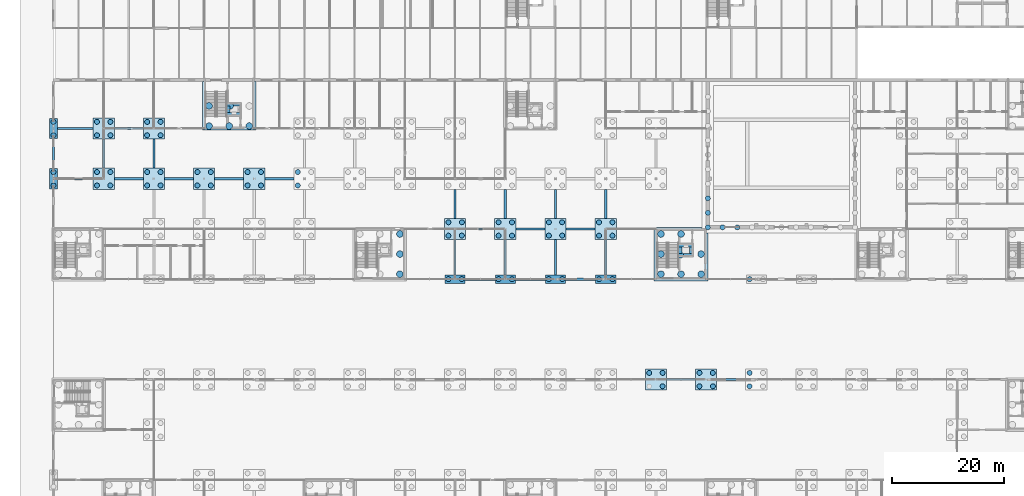
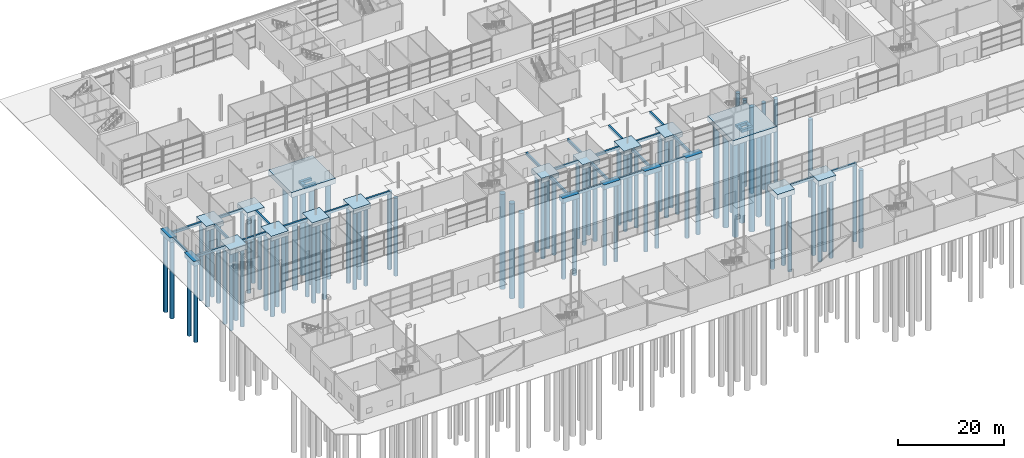
# One storey, part 3 of 97: 85 piles, 53 footings.
"""IFC4 building model written with IfcOpenShell, lengths in metres."""

from ifc_helpers import new_model, si_unit, direction, frame, origin, origin_2d, place, context, subcontext, project, spatial, polyline, rectangle, circle, outline, extrude, material, material_profile, profile_set, type_object, element, save


model = new_model("IFC4")

# Units and contexts
model_context = context("Model", 3, precision=1e-05, world=origin(), true_north=direction((0.0, 1.0)))
body_context = subcontext(model_context, "Body", "Model", "MODEL_VIEW")
ifc_project = project(units=[si_unit("LENGTHUNIT", "METRE"), si_unit("AREAUNIT", "SQUARE_METRE"), si_unit("VOLUMEUNIT", "CUBIC_METRE"), si_unit("PLANEANGLEUNIT", "RADIAN"), si_unit("MASSUNIT", "GRAM", prefix="KILO")], contexts=[model_context])

# Site, building, storey
site_placement = place(None, origin())
site = spatial("IfcSite", under=ifc_project, at=site_placement, CompositionType="ELEMENT")
building_placement = place(site_placement, origin())
building = spatial("IfcBuilding", under=site, at=building_placement, Name="Corbel Yard City Hall", CompositionType="ELEMENT")
storey_placement = place(building_placement, origin())
storey = spatial("IfcBuildingStorey", under=building, at=storey_placement, Name="L00", CompositionType="ELEMENT", Elevation=0.0)

# Piles
ifc_material = material(Name="Concrete N40 (40 MPa)", Category="concrete")
ifc_material_profile_1 = material_profile(ifc_material, circle(Radius=0.60009765625, at=origin_2d()), Name="D1200")
ifc_profile_set_1 = profile_set([ifc_material_profile_1], Name="Concrete N40 (40 MPa)")
pile_type_1 = type_object("IfcPileType", Name="Bored pile D1200", PredefinedType="BORED", material=ifc_profile_set_1)
for number, where, z_axis, x_axis, name in (
    (1, (62.10009765625, 45.89990234375, -1.10009765625), (0.0, 0.0, -1.0), (1.0, 0.0, 0.0), "Bored pile D1200 under core raft PC13"),
    (2, (62.10009765625, 49.5, -1.10009765625), (0.0, 0.0, -1.0), (1.0, 0.0, 0.0), "Bored pile D1200 under core raft PC13"),
    (3, (62.10009765625, 53.10009765625, -1.10009765625), (0.0, 0.0, -1.0), (1.0, 0.0, 0.0), "Bored pile D1200 under core raft PC13"),
    (4, (108.89990234375, 45.89990234375, -1.10009765625), (0.0, 0.0, -1.0), (1.0, 0.0, 0.0), "Bored pile D1200 under core raft PC13"),
    (5, (108.89990234375, 49.5, -1.10009765625), (0.0, 0.0, -1.0), (1.0, 0.0, 0.0), "Bored pile D1200 under core raft PC13"),
    (6, (108.89990234375, 53.10009765625, -1.10009765625), (0.0, 0.0, -1.0), (1.0, 0.0, 0.0), "Bored pile D1200 under core raft PC13"),
    (7, (112.5, 45.89990234375, -1.10009765625), (0.0, 0.0, -1.0), (1.0, 0.0, 0.0), "Bored pile D1200 under core raft PC13"),
    (8, (112.35009765625, 49.35009765625, -1.10009765625), (0.0, 0.0, -1.0), (1.0, 0.0, 0.0), "Bored pile D1200 under core raft PC13"),
    (9, (112.5, 53.10009765625, -1.10009765625), (0.0, 0.0, -1.0), (1.0, 0.0, 0.0), "Bored pile D1200 under core raft PC13"),
    (10, (116.10009765625, 45.89990234375, -1.10009765625), (0.0, 0.0, -1.0), (1.0, 0.0, 0.0), "Bored pile D1200 under core raft PC13"),
    (11, (116.10009765625, 49.5, -1.10009765625), (0.0, 0.0, -1.0), (1.0, 0.0, 0.0), "Bored pile D1200 under core raft PC13"),
    (12, (27.89990234375, 72.449951171875, -1.10009765625), (0.0, 0.0, -1.0), (1.0, 0.0, 0.0), "Bored pile D1200 under core raft PC13"),
    (13, (27.89990234375, 76.050048828125, -1.10009765625), (0.0, 0.0, -1.0), (1.0, 0.0, 0.0), "Bored pile D1200 under core raft PC13"),
    (14, (31.5, 72.449951171875, -1.10009765625), (0.0, 0.0, -1.0), (1.0, 0.0, 0.0), "Bored pile D1200 under core raft PC13"),
    (15, (31.64990234375, 76.050048828125, -1.10009765625), (0.0, 0.0, -1.0), (1.0, 0.0, 0.0), "Bored pile D1200 under core raft PC13"),
    (16, (35.10009765625, 72.449951171875, -1.10009765625), (0.0, 0.0, -1.0), (1.0, 0.0, 0.0), "Bored pile D1200 under core raft PC13"),
):
    element("IfcPile", number, at=place(storey_placement, frame(where, z_axis=z_axis, x_axis=x_axis)), inside=storey, type_object=pile_type_1, Name=name, PredefinedType="BORED", context=body_context, shape_type="SweptSolid", body=[
        extrude(circle(Radius=0.60009765625, at=origin_2d()), origin(), (0.0, 0.0, 1.0), 22.0),
    ])
ifc_material_profile_2 = material_profile(ifc_material, circle(Radius=0.449951171875, at=origin_2d()), Name="D900")
ifc_profile_set_2 = profile_set([ifc_material_profile_2], Name="Concrete N40 (40 MPa)")
pile_type_2 = type_object("IfcPileType", Name="Bored pile D900", PredefinedType="BORED", material=ifc_profile_set_2)
for number, where, z_axis, x_axis, name in (
    (17, (0.0, 61.800048828125, -1.0), (0.0, 0.0, -1.0), (1.0, 0.0, 0.0), "Bored pile D900 under cap PC2 H/1"),
    (18, (0.0, 64.199951171875, -1.0), (0.0, 0.0, -1.0), (1.0, 0.0, 0.0), "Bored pile D900 under cap PC2 H/1"),
    (19, (0.0, 70.800048828125, -1.0), (0.0, 0.0, -1.0), (1.0, 0.0, 0.0), "Bored pile D900 under cap PC2 I/1"),
    (20, (0.0, 73.199951171875, -1.0), (0.0, 0.0, -1.0), (1.0, 0.0, 0.0), "Bored pile D900 under cap PC2 I/1"),
    (21, (7.800048828125, 61.800048828125, -1.0), (0.0, 0.0, -1.0), (1.0, 0.0, 0.0), "Bored pile D900 under cap PC3 H/2"),
    (22, (7.800048828125, 64.199951171875, -1.0), (0.0, 0.0, -1.0), (1.0, 0.0, 0.0), "Bored pile D900 under cap PC3 H/2"),
    (23, (10.199951171875, 61.800048828125, -1.0), (0.0, 0.0, -1.0), (1.0, 0.0, 0.0), "Bored pile D900 under cap PC3 H/2"),
    (24, (10.199951171875, 64.199951171875, -1.0), (0.0, 0.0, -1.0), (1.0, 0.0, 0.0), "Bored pile D900 under cap PC3 H/2"),
    (25, (7.800048828125, 70.800048828125, -1.0), (0.0, 0.0, -1.0), (1.0, 0.0, 0.0), "Bored pile D900 under cap PC3 I/2"),
    (26, (7.800048828125, 73.199951171875, -1.0), (0.0, 0.0, -1.0), (1.0, 0.0, 0.0), "Bored pile D900 under cap PC3 I/2"),
    (27, (10.199951171875, 70.800048828125, -1.0), (0.0, 0.0, -1.0), (1.0, 0.0, 0.0), "Bored pile D900 under cap PC3 I/2"),
    (28, (10.199951171875, 73.199951171875, -1.0), (0.0, 0.0, -1.0), (1.0, 0.0, 0.0), "Bored pile D900 under cap PC3 I/2"),
    (29, (16.800048828125, 61.800048828125, -1.0), (0.0, 0.0, -1.0), (1.0, 0.0, 0.0), "Bored pile D900 under cap PC3 H/3"),
    (30, (16.800048828125, 64.199951171875, -1.0), (0.0, 0.0, -1.0), (1.0, 0.0, 0.0), "Bored pile D900 under cap PC3 H/3"),
    (31, (19.199951171875, 61.800048828125, -1.0), (0.0, 0.0, -1.0), (1.0, 0.0, 0.0), "Bored pile D900 under cap PC3 H/3"),
    (32, (19.199951171875, 64.199951171875, -1.0), (0.0, 0.0, -1.0), (1.0, 0.0, 0.0), "Bored pile D900 under cap PC3 H/3"),
    (33, (16.800048828125, 70.800048828125, -1.0), (0.0, 0.0, -1.0), (1.0, 0.0, 0.0), "Bored pile D900 under cap PC3 I/3"),
    (34, (16.800048828125, 73.199951171875, -1.0), (0.0, 0.0, -1.0), (1.0, 0.0, 0.0), "Bored pile D900 under cap PC3 I/3"),
    (35, (19.199951171875, 70.800048828125, -1.0), (0.0, 0.0, -1.0), (1.0, 0.0, 0.0), "Bored pile D900 under cap PC3 I/3"),
    (36, (19.199951171875, 73.199951171875, -1.0), (0.0, 0.0, -1.0), (1.0, 0.0, 0.0), "Bored pile D900 under cap PC3 I/3"),
    (37, (25.800048828125, 61.800048828125, -1.0), (0.0, 0.0, -1.0), (1.0, 0.0, 0.0), "Bored pile D900 under cap PC3 H/4"),
    (38, (25.800048828125, 64.199951171875, -1.0), (0.0, 0.0, -1.0), (1.0, 0.0, 0.0), "Bored pile D900 under cap PC3 H/4"),
    (39, (28.199951171875, 61.800048828125, -1.0), (0.0, 0.0, -1.0), (1.0, 0.0, 0.0), "Bored pile D900 under cap PC3 H/4"),
    (40, (28.199951171875, 64.199951171875, -1.0), (0.0, 0.0, -1.0), (1.0, 0.0, 0.0), "Bored pile D900 under cap PC3 H/4"),
    (41, (34.800048828125, 61.800048828125, -1.0), (0.0, 0.0, -1.0), (1.0, 0.0, 0.0), "Bored pile D900 under cap PC3 H/5"),
    (42, (34.800048828125, 64.199951171875, -1.0), (0.0, 0.0, -1.0), (1.0, 0.0, 0.0), "Bored pile D900 under cap PC3 H/5"),
    (43, (37.199951171875, 61.800048828125, -1.0), (0.0, 0.0, -1.0), (1.0, 0.0, 0.0), "Bored pile D900 under cap PC3 H/5"),
    (44, (37.199951171875, 64.199951171875, -1.0), (0.0, 0.0, -1.0), (1.0, 0.0, 0.0), "Bored pile D900 under cap PC3 H/5"),
    (45, (43.800048828125, 61.800048828125, -1.0), (0.0, 0.0, -1.0), (1.0, 0.0, 0.0), "Bored pile D900 under cap PC3 H/6"),
    (46, (43.800048828125, 64.199951171875, -1.0), (0.0, 0.0, -1.0), (1.0, 0.0, 0.0), "Bored pile D900 under cap PC3 H/6"),
    (47, (70.800048828125, 45.0, -1.0), (0.0, 0.0, -1.0), (1.0, 0.0, 0.0), "Bored pile D900 under cap PC6 F/9"),
    (48, (73.199951171875, 45.0, -1.0), (0.0, 0.0, -1.0), (1.0, 0.0, 0.0), "Bored pile D900 under cap PC6 F/9"),
    (49, (70.800048828125, 52.800048828125, -1.0), (0.0, 0.0, -1.0), (1.0, 0.0, 0.0), "Bored pile D900 under cap PC3 G/9"),
    (50, (70.800048828125, 55.199951171875, -1.0), (0.0, 0.0, -1.0), (1.0, 0.0, 0.0), "Bored pile D900 under cap PC3 G/9"),
    (51, (73.199951171875, 52.800048828125, -1.0), (0.0, 0.0, -1.0), (1.0, 0.0, 0.0), "Bored pile D900 under cap PC3 G/9"),
    (52, (73.199951171875, 55.199951171875, -1.0), (0.0, 0.0, -1.0), (1.0, 0.0, 0.0), "Bored pile D900 under cap PC3 G/9"),
    (53, (79.800048828125, 45.0, -1.0), (0.0, 0.0, -1.0), (1.0, 0.0, 0.0), "Bored pile D900 under cap PC6 F/10"),
    (54, (82.199951171875, 45.0, -1.0), (0.0, 0.0, -1.0), (1.0, 0.0, 0.0), "Bored pile D900 under cap PC6 F/10"),
    (55, (79.800048828125, 52.800048828125, -1.0), (0.0, 0.0, -1.0), (1.0, 0.0, 0.0), "Bored pile D900 under cap PC3 G/10"),
    (56, (79.800048828125, 55.199951171875, -1.0), (0.0, 0.0, -1.0), (1.0, 0.0, 0.0), "Bored pile D900 under cap PC3 G/10"),
    (57, (82.199951171875, 52.800048828125, -1.0), (0.0, 0.0, -1.0), (1.0, 0.0, 0.0), "Bored pile D900 under cap PC3 G/10"),
    (58, (82.199951171875, 55.199951171875, -1.0), (0.0, 0.0, -1.0), (1.0, 0.0, 0.0), "Bored pile D900 under cap PC3 G/10"),
    (59, (88.800048828125, 45.0, -1.0), (0.0, 0.0, -1.0), (1.0, 0.0, 0.0), "Bored pile D900 under cap PC6 F/11"),
    (60, (91.199951171875, 45.0, -1.0), (0.0, 0.0, -1.0), (1.0, 0.0, 0.0), "Bored pile D900 under cap PC6 F/11"),
    (61, (88.800048828125, 52.800048828125, -1.0), (0.0, 0.0, -1.0), (1.0, 0.0, 0.0), "Bored pile D900 under cap PC3 G/11"),
    (62, (88.800048828125, 55.199951171875, -1.0), (0.0, 0.0, -1.0), (1.0, 0.0, 0.0), "Bored pile D900 under cap PC3 G/11"),
    (63, (91.199951171875, 52.800048828125, -1.0), (0.0, 0.0, -1.0), (1.0, 0.0, 0.0), "Bored pile D900 under cap PC3 G/11"),
    (64, (91.199951171875, 55.199951171875, -1.0), (0.0, 0.0, -1.0), (1.0, 0.0, 0.0), "Bored pile D900 under cap PC3 G/11"),
    (65, (97.800048828125, 45.0, -1.0), (0.0, 0.0, -1.0), (1.0, 0.0, 0.0), "Bored pile D900 under cap PC6 F/12"),
    (66, (100.199951171875, 45.0, -1.0), (0.0, 0.0, -1.0), (1.0, 0.0, 0.0), "Bored pile D900 under cap PC6 F/12"),
    (67, (97.800048828125, 52.800048828125, -1.0), (0.0, 0.0, -1.0), (1.0, 0.0, 0.0), "Bored pile D900 under cap PC3 G/12"),
    (68, (97.800048828125, 55.199951171875, -1.0), (0.0, 0.0, -1.0), (1.0, 0.0, 0.0), "Bored pile D900 under cap PC3 G/12"),
    (69, (100.199951171875, 52.800048828125, -1.0), (0.0, 0.0, -1.0), (1.0, 0.0, 0.0), "Bored pile D900 under cap PC3 G/12"),
    (70, (100.199951171875, 55.199951171875, -1.0), (0.0, 0.0, -1.0), (1.0, 0.0, 0.0), "Bored pile D900 under cap PC3 G/12"),
    (71, (106.800048828125, 28.199951171875, -1.10009765625), (0.0, 0.0, -1.0), (1.0, 0.0, 0.0), "Bored pile D900 under cap PC5 D/13"),
    (72, (109.199951171875, 25.800048828125, -1.10009765625), (0.0, 0.0, -1.0), (1.0, 0.0, 0.0), "Bored pile D900 under cap PC5 D/13"),
    (73, (109.199951171875, 28.199951171875, -1.10009765625), (0.0, 0.0, -1.0), (1.0, 0.0, 0.0), "Bored pile D900 under cap PC5 D/13"),
    (74, (115.800048828125, 25.800048828125, -1.10009765625), (0.0, 0.0, -1.0), (1.0, 0.0, 0.0), "Bored pile D900 under cap PC5 D/14"),
    (75, (115.800048828125, 28.199951171875, -1.10009765625), (0.0, 0.0, -1.0), (1.0, 0.0, 0.0), "Bored pile D900 under cap PC5 D/14"),
    (76, (118.199951171875, 25.800048828125, -1.10009765625), (0.0, 0.0, -1.0), (1.0, 0.0, 0.0), "Bored pile D900 under cap PC5 D/14"),
    (77, (118.199951171875, 28.199951171875, -1.10009765625), (0.0, 0.0, -1.0), (1.0, 0.0, 0.0), "Bored pile D900 under cap PC5 D/14"),
    (78, (124.800048828125, 25.800048828125, -1.10009765625), (0.0, 0.0, -1.0), (1.0, 0.0, 0.0), "Bored pile D900 under cap PC5 D/15"),
    (79, (124.800048828125, 28.199951171875, -1.10009765625), (0.0, 0.0, -1.0), (1.0, 0.0, 0.0), "Bored pile D900 under cap PC5 D/15"),
    (80, (124.800048828125, 45.0, -1.0), (0.0, 0.0, -1.0), (1.0, 0.0, 0.0), "Bored pile D900 under cap PC6 F/15"),
):
    element("IfcPile", number, at=place(storey_placement, frame(where, z_axis=z_axis, x_axis=x_axis)), inside=storey, type_object=pile_type_2, Name=name, PredefinedType="BORED", context=body_context, shape_type="SweptSolid", body=[
        extrude(circle(Radius=0.449951171875, at=origin_2d()), origin(), (0.0, 0.0, 1.0), 18.0),
    ])
for number, where, z_axis, x_axis, name in (
    (81, (117.300048828125, 54.300048828125, -1.10009765625), (0.0, 0.0, -1.0), (1.0, 0.0, 0.0), "Bored pile D900 under chamber ring cap PC12"),
    (82, (119.93994140625, 54.300048828125, -1.10009765625), (0.0, 0.0, -1.0), (1.0, 0.0, 0.0), "Bored pile D900 under chamber ring cap PC12"),
    (83, (122.580078125, 54.300048828125, -1.10009765625), (0.0, 0.0, -1.0), (1.0, 0.0, 0.0), "Bored pile D900 under chamber ring cap PC12"),
    (84, (117.300048828125, 56.89990234375, -1.10009765625), (0.0, 0.0, -1.0), (1.0, 0.0, 0.0), "Bored pile D900 under chamber ring cap PC12"),
    (85, (117.300048828125, 59.5, -1.10009765625), (0.0, 0.0, -1.0), (1.0, 0.0, 0.0), "Bored pile D900 under chamber ring cap PC12"),
):
    element("IfcPile", number, at=place(storey_placement, frame(where, z_axis=z_axis, x_axis=x_axis)), inside=storey, type_object=pile_type_2, Name=name, PredefinedType="BORED", context=body_context, shape_type="SweptSolid", body=[
        extrude(circle(Radius=0.449951171875, at=origin_2d()), origin(), (0.0, 0.0, 1.0), 20.0),
    ])

# Footings
footing_type_1 = type_object("IfcFootingType", Name="Core cell raft 9.6 x 9.6 x 1.2", PredefinedType="PILE_CAP", material=ifc_material)
footing_1_placement = place(storey_placement, frame((0.0, 0.0, -1.199951171875)))
element("IfcFooting", 86, at=footing_1_placement, inside=storey, type_object=footing_type_1, Name="Core cell raft PC13 PC-M3", PredefinedType="PILE_CAP", context=body_context, shape_type="SweptSolid", body=[
    extrude(outline(polyline([(117.300048828125, 44.699951171875), (117.300048828125, 53.300048828125), (116.300048828125, 53.300048828125), (116.300048828125, 54.300048828125), (107.699951171875, 54.300048828125), (107.699951171875, 44.699951171875), (117.300048828125, 44.699951171875)])), origin(), (0.0, 0.0, 1.0), 1.199951171875),
])
footing_2_placement = place(storey_placement, frame((0.0, 0.0, -1.199951171875)))
element("IfcFooting", 87, at=footing_2_placement, inside=storey, type_object=footing_type_1, Name="Core cell raft PC13 PC-M6", PredefinedType="PILE_CAP", context=body_context, shape_type="SweptSolid", body=[
    extrude(outline(polyline([(26.699951171875, 71.699951171875), (36.300048828125, 71.699951171875), (36.300048828125, 80.39990234375), (26.699951171875, 80.39990234375), (26.699951171875, 71.699951171875)])), origin(), (0.0, 0.0, 1.0), 1.199951171875),
])
footing_type_2 = type_object("IfcFootingType", Name="Ground beam 400 x 600", PredefinedType="FOOTING_BEAM", material=ifc_material)
footing_3_placement = place(storey_placement, frame((3.925048828125, 63.0, -0.60009765625), z_axis=(0.0, 0.0, 1.0), x_axis=(1.0, 0.0, 0.0)))
element("IfcFooting", 88, at=footing_3_placement, inside=storey, type_object=footing_type_2, Name="Ground beam 400 x 600 H/1-H/2", PredefinedType="FOOTING_BEAM", context=body_context, shape_type="SweptSolid", body=[
    extrude(rectangle(XDim=6.35009765625, YDim=0.39990234375, at=origin_2d()), origin(), (0.0, 0.0, 1.0), 0.60009765625),
])
footing_4_placement = place(storey_placement, frame((0.0, 67.5, -0.60009765625), z_axis=(0.0, 0.0, 1.0), x_axis=(1.0, 0.0, 0.0)))
element("IfcFooting", 89, at=footing_4_placement, inside=storey, type_object=footing_type_2, Name="Ground beam 400 x 600 H/1-I/1", PredefinedType="FOOTING_BEAM", context=body_context, shape_type="SweptSolid", body=[
    extrude(rectangle(XDim=0.39990234375, YDim=5.39990234375, at=origin_2d()), origin(), (0.0, 0.0, 1.0), 0.60009765625),
])
footing_5_placement = place(storey_placement, frame((3.925048828125, 72.0, -0.60009765625), z_axis=(0.0, 0.0, 1.0), x_axis=(1.0, 0.0, 0.0)))
element("IfcFooting", 90, at=footing_5_placement, inside=storey, type_object=footing_type_2, Name="Ground beam 400 x 600 I/1-I/2", PredefinedType="FOOTING_BEAM", context=body_context, shape_type="SweptSolid", body=[
    extrude(rectangle(XDim=6.35009765625, YDim=0.39990234375, at=origin_2d()), origin(), (0.0, 0.0, 1.0), 0.60009765625),
])
footing_6_placement = place(storey_placement, frame((13.5, 63.0, -0.60009765625), z_axis=(0.0, 0.0, 1.0), x_axis=(1.0, 0.0, 0.0)))
element("IfcFooting", 91, at=footing_6_placement, inside=storey, type_object=footing_type_2, Name="Ground beam 400 x 600 H/2-H/3", PredefinedType="FOOTING_BEAM", context=body_context, shape_type="SweptSolid", body=[
    extrude(rectangle(XDim=5.199951171875, YDim=0.39990234375, at=origin_2d()), origin(), (0.0, 0.0, 1.0), 0.60009765625),
])
footing_7_placement = place(storey_placement, frame((9.0, 67.5, -0.60009765625), z_axis=(0.0, 0.0, 1.0), x_axis=(1.0, 0.0, 0.0)))
element("IfcFooting", 92, at=footing_7_placement, inside=storey, type_object=footing_type_2, Name="Ground beam 400 x 600 H/2-I/2", PredefinedType="FOOTING_BEAM", context=body_context, shape_type="SweptSolid", body=[
    extrude(rectangle(XDim=0.39990234375, YDim=5.199951171875, at=origin_2d()), origin(), (0.0, 0.0, 1.0), 0.60009765625),
])
for number, where, z_axis, x_axis, name in (
    (93, (13.5, 72.0, -0.60009765625), (0.0, 0.0, 1.0), (1.0, 0.0, 0.0), "Ground beam 400 x 600 I/2-I/3"),
    (94, (22.5, 63.0, -0.60009765625), (0.0, 0.0, 1.0), (1.0, 0.0, 0.0), "Ground beam 400 x 600 H/3-H/4"),
):
    element("IfcFooting", number, at=place(storey_placement, frame(where, z_axis=z_axis, x_axis=x_axis)), inside=storey, type_object=footing_type_2, Name=name, PredefinedType="FOOTING_BEAM", context=body_context, shape_type="SweptSolid", body=[
        extrude(rectangle(XDim=5.199951171875, YDim=0.39990234375, at=origin_2d()), origin(), (0.0, 0.0, 1.0), 0.60009765625),
    ])
footing_8_placement = place(storey_placement, frame((18.0, 67.5, -0.60009765625), z_axis=(0.0, 0.0, 1.0), x_axis=(1.0, 0.0, 0.0)))
element("IfcFooting", 95, at=footing_8_placement, inside=storey, type_object=footing_type_2, Name="Ground beam 400 x 600 H/3-I/3", PredefinedType="FOOTING_BEAM", context=body_context, shape_type="SweptSolid", body=[
    extrude(rectangle(XDim=0.39990234375, YDim=5.199951171875, at=origin_2d()), origin(), (0.0, 0.0, 1.0), 0.60009765625),
])
for number, where, z_axis, x_axis, name in (
    (96, (31.5, 63.0, -0.60009765625), (0.0, 0.0, 1.0), (1.0, 0.0, 0.0), "Ground beam 400 x 600 H/4-H/5"),
    (97, (40.5, 63.0, -0.60009765625), (0.0, 0.0, 1.0), (1.0, 0.0, 0.0), "Ground beam 400 x 600 H/5-H/6"),
):
    element("IfcFooting", number, at=place(storey_placement, frame(where, z_axis=z_axis, x_axis=x_axis)), inside=storey, type_object=footing_type_2, Name=name, PredefinedType="FOOTING_BEAM", context=body_context, shape_type="SweptSolid", body=[
        extrude(rectangle(XDim=5.199951171875, YDim=0.39990234375, at=origin_2d()), origin(), (0.0, 0.0, 1.0), 0.60009765625),
    ])
footing_9_placement = place(storey_placement, frame((76.5, 45.0, -0.60009765625), z_axis=(0.0, 0.0, 1.0), x_axis=(1.0, 0.0, 0.0)))
element("IfcFooting", 98, at=footing_9_placement, inside=storey, type_object=footing_type_2, Name="Ground beam 400 x 600 F/9-F/10", PredefinedType="FOOTING_BEAM", context=body_context, shape_type="SweptSolid", body=[
    extrude(rectangle(XDim=5.39990234375, YDim=0.39990234375, at=origin_2d()), origin(), (0.0, 0.0, 1.0), 0.60009765625),
])
footing_10_placement = place(storey_placement, frame((72.0, 48.925048828125, -0.60009765625), z_axis=(0.0, 0.0, 1.0), x_axis=(1.0, 0.0, 0.0)))
element("IfcFooting", 99, at=footing_10_placement, inside=storey, type_object=footing_type_2, Name="Ground beam 400 x 600 F/9-G/9", PredefinedType="FOOTING_BEAM", context=body_context, shape_type="SweptSolid", body=[
    extrude(rectangle(XDim=0.39990234375, YDim=6.35009765625, at=origin_2d()), origin(), (0.0, 0.0, 1.0), 0.60009765625),
])
footing_11_placement = place(storey_placement, frame((76.5, 54.0, -0.60009765625), z_axis=(0.0, 0.0, 1.0), x_axis=(1.0, 0.0, 0.0)))
element("IfcFooting", 100, at=footing_11_placement, inside=storey, type_object=footing_type_2, Name="Ground beam 400 x 600 G/9-G/10", PredefinedType="FOOTING_BEAM", context=body_context, shape_type="SweptSolid", body=[
    extrude(rectangle(XDim=5.199951171875, YDim=0.39990234375, at=origin_2d()), origin(), (0.0, 0.0, 1.0), 0.60009765625),
])
footing_12_placement = place(storey_placement, frame((72.0, 58.5, -0.60009765625), z_axis=(0.0, 0.0, 1.0), x_axis=(1.0, 0.0, 0.0)))
element("IfcFooting", 101, at=footing_12_placement, inside=storey, type_object=footing_type_2, Name="Ground beam 400 x 600 G/9-H/9", PredefinedType="FOOTING_BEAM", context=body_context, shape_type="SweptSolid", body=[
    extrude(rectangle(XDim=0.39990234375, YDim=5.199951171875, at=origin_2d()), origin(), (0.0, 0.0, 1.0), 0.60009765625),
])
footing_13_placement = place(storey_placement, frame((85.5, 45.0, -0.60009765625), z_axis=(0.0, 0.0, 1.0), x_axis=(1.0, 0.0, 0.0)))
element("IfcFooting", 102, at=footing_13_placement, inside=storey, type_object=footing_type_2, Name="Ground beam 400 x 600 F/10-F/11", PredefinedType="FOOTING_BEAM", context=body_context, shape_type="SweptSolid", body=[
    extrude(rectangle(XDim=5.39990234375, YDim=0.39990234375, at=origin_2d()), origin(), (0.0, 0.0, 1.0), 0.60009765625),
])
footing_14_placement = place(storey_placement, frame((81.0, 48.925048828125, -0.60009765625), z_axis=(0.0, 0.0, 1.0), x_axis=(1.0, 0.0, 0.0)))
element("IfcFooting", 103, at=footing_14_placement, inside=storey, type_object=footing_type_2, Name="Ground beam 400 x 600 F/10-G/10", PredefinedType="FOOTING_BEAM", context=body_context, shape_type="SweptSolid", body=[
    extrude(rectangle(XDim=0.39990234375, YDim=6.35009765625, at=origin_2d()), origin(), (0.0, 0.0, 1.0), 0.60009765625),
])
footing_15_placement = place(storey_placement, frame((85.5, 54.0, -0.60009765625), z_axis=(0.0, 0.0, 1.0), x_axis=(1.0, 0.0, 0.0)))
element("IfcFooting", 104, at=footing_15_placement, inside=storey, type_object=footing_type_2, Name="Ground beam 400 x 600 G/10-G/11", PredefinedType="FOOTING_BEAM", context=body_context, shape_type="SweptSolid", body=[
    extrude(rectangle(XDim=5.199951171875, YDim=0.39990234375, at=origin_2d()), origin(), (0.0, 0.0, 1.0), 0.60009765625),
])
footing_16_placement = place(storey_placement, frame((81.0, 58.5, -0.60009765625), z_axis=(0.0, 0.0, 1.0), x_axis=(1.0, 0.0, 0.0)))
element("IfcFooting", 105, at=footing_16_placement, inside=storey, type_object=footing_type_2, Name="Ground beam 400 x 600 G/10-H/10", PredefinedType="FOOTING_BEAM", context=body_context, shape_type="SweptSolid", body=[
    extrude(rectangle(XDim=0.39990234375, YDim=5.199951171875, at=origin_2d()), origin(), (0.0, 0.0, 1.0), 0.60009765625),
])
footing_17_placement = place(storey_placement, frame((94.5, 45.0, -0.60009765625), z_axis=(0.0, 0.0, 1.0), x_axis=(1.0, 0.0, 0.0)))
element("IfcFooting", 106, at=footing_17_placement, inside=storey, type_object=footing_type_2, Name="Ground beam 400 x 600 F/11-F/12", PredefinedType="FOOTING_BEAM", context=body_context, shape_type="SweptSolid", body=[
    extrude(rectangle(XDim=5.39990234375, YDim=0.39990234375, at=origin_2d()), origin(), (0.0, 0.0, 1.0), 0.60009765625),
])
footing_18_placement = place(storey_placement, frame((90.0, 48.925048828125, -0.60009765625), z_axis=(0.0, 0.0, 1.0), x_axis=(1.0, 0.0, 0.0)))
element("IfcFooting", 107, at=footing_18_placement, inside=storey, type_object=footing_type_2, Name="Ground beam 400 x 600 F/11-G/11", PredefinedType="FOOTING_BEAM", context=body_context, shape_type="SweptSolid", body=[
    extrude(rectangle(XDim=0.39990234375, YDim=6.35009765625, at=origin_2d()), origin(), (0.0, 0.0, 1.0), 0.60009765625),
])
footing_19_placement = place(storey_placement, frame((94.5, 54.0, -0.60009765625), z_axis=(0.0, 0.0, 1.0), x_axis=(1.0, 0.0, 0.0)))
element("IfcFooting", 108, at=footing_19_placement, inside=storey, type_object=footing_type_2, Name="Ground beam 400 x 600 G/11-G/12", PredefinedType="FOOTING_BEAM", context=body_context, shape_type="SweptSolid", body=[
    extrude(rectangle(XDim=5.199951171875, YDim=0.39990234375, at=origin_2d()), origin(), (0.0, 0.0, 1.0), 0.60009765625),
])
footing_20_placement = place(storey_placement, frame((90.0, 58.5, -0.60009765625), z_axis=(0.0, 0.0, 1.0), x_axis=(1.0, 0.0, 0.0)))
element("IfcFooting", 109, at=footing_20_placement, inside=storey, type_object=footing_type_2, Name="Ground beam 400 x 600 G/11-H/11", PredefinedType="FOOTING_BEAM", context=body_context, shape_type="SweptSolid", body=[
    extrude(rectangle(XDim=0.39990234375, YDim=5.199951171875, at=origin_2d()), origin(), (0.0, 0.0, 1.0), 0.60009765625),
])
footing_21_placement = place(storey_placement, frame((99.0, 48.925048828125, -0.60009765625), z_axis=(0.0, 0.0, 1.0), x_axis=(1.0, 0.0, 0.0)))
element("IfcFooting", 110, at=footing_21_placement, inside=storey, type_object=footing_type_2, Name="Ground beam 400 x 600 F/12-G/12", PredefinedType="FOOTING_BEAM", context=body_context, shape_type="SweptSolid", body=[
    extrude(rectangle(XDim=0.39990234375, YDim=6.35009765625, at=origin_2d()), origin(), (0.0, 0.0, 1.0), 0.60009765625),
])
footing_22_placement = place(storey_placement, frame((99.0, 58.5, -0.60009765625), z_axis=(0.0, 0.0, 1.0), x_axis=(1.0, 0.0, 0.0)))
element("IfcFooting", 111, at=footing_22_placement, inside=storey, type_object=footing_type_2, Name="Ground beam 400 x 600 G/12-H/12", PredefinedType="FOOTING_BEAM", context=body_context, shape_type="SweptSolid", body=[
    extrude(rectangle(XDim=0.39990234375, YDim=5.199951171875, at=origin_2d()), origin(), (0.0, 0.0, 1.0), 0.60009765625),
])
for number, where, z_axis, x_axis, name in (
    (112, (112.5, 27.0, -0.60009765625), (0.0, 0.0, 1.0), (1.0, 0.0, 0.0), "Ground beam 400 x 600 D/13-D/14"),
    (113, (121.5, 27.0, -0.60009765625), (0.0, 0.0, 1.0), (1.0, 0.0, 0.0), "Ground beam 400 x 600 D/14-D/15"),
):
    element("IfcFooting", number, at=place(storey_placement, frame(where, z_axis=z_axis, x_axis=x_axis)), inside=storey, type_object=footing_type_2, Name=name, PredefinedType="FOOTING_BEAM", context=body_context, shape_type="SweptSolid", body=[
        extrude(rectangle(XDim=5.199951171875, YDim=0.39990234375, at=origin_2d()), origin(), (0.0, 0.0, 1.0), 0.60009765625),
    ])
footing_type_3 = type_object("IfcFootingType", Name="Lift pit strip footing 600 x 600", PredefinedType="FOOTING_BEAM", material=ifc_material)
footing_23_placement = place(storey_placement, frame((0.0, 0.0, -2.300048828125)))
element("IfcFooting", 114, at=footing_23_placement, inside=storey, type_object=footing_type_3, Name="Lift pit strip footing LP10 S", PredefinedType="FOOTING_BEAM", context=body_context, shape_type="SweptSolid", body=[
    extrude(outline(polyline([(114.64990234375, 49.0), (114.64990234375, 49.60009765625), (112.050048828125, 49.60009765625), (112.050048828125, 49.0), (114.64990234375, 49.0)])), origin(), (0.0, 0.0, 1.0), 0.60009765625),
])
footing_24_placement = place(storey_placement, frame((0.0, 0.0, -2.300048828125)))
element("IfcFooting", 115, at=footing_24_placement, inside=storey, type_object=footing_type_3, Name="Lift pit strip footing LP10 N", PredefinedType="FOOTING_BEAM", context=body_context, shape_type="SweptSolid", body=[
    extrude(outline(polyline([(114.64990234375, 50.800048828125), (114.64990234375, 51.39990234375), (112.050048828125, 51.39990234375), (112.050048828125, 50.800048828125), (114.64990234375, 50.800048828125)])), origin(), (0.0, 0.0, 1.0), 0.60009765625),
])
footing_25_placement = place(storey_placement, frame((0.0, 0.0, -2.300048828125)))
element("IfcFooting", 116, at=footing_25_placement, inside=storey, type_object=footing_type_3, Name="Lift pit strip footing LP10 W", PredefinedType="FOOTING_BEAM", context=body_context, shape_type="SweptSolid", body=[
    extrude(outline(polyline([(112.64990234375, 49.60009765625), (112.64990234375, 50.800048828125), (112.050048828125, 50.800048828125), (112.050048828125, 49.60009765625), (112.64990234375, 49.60009765625)])), origin(), (0.0, 0.0, 1.0), 0.60009765625),
])
footing_26_placement = place(storey_placement, frame((0.0, 0.0, -2.300048828125)))
element("IfcFooting", 117, at=footing_26_placement, inside=storey, type_object=footing_type_3, Name="Lift pit strip footing LP10 E", PredefinedType="FOOTING_BEAM", context=body_context, shape_type="SweptSolid", body=[
    extrude(outline(polyline([(114.64990234375, 49.60009765625), (114.64990234375, 50.800048828125), (114.050048828125, 50.800048828125), (114.050048828125, 49.60009765625), (114.64990234375, 49.60009765625)])), origin(), (0.0, 0.0, 1.0), 0.60009765625),
])
footing_27_placement = place(storey_placement, frame((0.0, 0.0, -2.300048828125)))
element("IfcFooting", 118, at=footing_27_placement, inside=storey, type_object=footing_type_3, Name="Lift pit strip footing LP13 S", PredefinedType="FOOTING_BEAM", context=body_context, shape_type="SweptSolid", body=[
    extrude(outline(polyline([(33.64990234375, 74.25), (33.64990234375, 74.85009765625), (31.050048828125, 74.85009765625), (31.050048828125, 74.25), (33.64990234375, 74.25)])), origin(), (0.0, 0.0, 1.0), 0.60009765625),
])
footing_28_placement = place(storey_placement, frame((0.0, 0.0, -2.300048828125)))
element("IfcFooting", 119, at=footing_28_placement, inside=storey, type_object=footing_type_3, Name="Lift pit strip footing LP13 N", PredefinedType="FOOTING_BEAM", context=body_context, shape_type="SweptSolid", body=[
    extrude(outline(polyline([(33.64990234375, 76.050048828125), (33.64990234375, 76.64990234375), (31.050048828125, 76.64990234375), (31.050048828125, 76.050048828125), (33.64990234375, 76.050048828125)])), origin(), (0.0, 0.0, 1.0), 0.60009765625),
])
footing_29_placement = place(storey_placement, frame((0.0, 0.0, -2.300048828125)))
element("IfcFooting", 120, at=footing_29_placement, inside=storey, type_object=footing_type_3, Name="Lift pit strip footing LP13 W", PredefinedType="FOOTING_BEAM", context=body_context, shape_type="SweptSolid", body=[
    extrude(outline(polyline([(31.64990234375, 74.85009765625), (31.64990234375, 76.050048828125), (31.050048828125, 76.050048828125), (31.050048828125, 74.85009765625), (31.64990234375, 74.85009765625)])), origin(), (0.0, 0.0, 1.0), 0.60009765625),
])
footing_type_4 = type_object("IfcFootingType", Name="Pile cap (column) 3.8 x 3.8 x 1.1", PredefinedType="PILE_CAP", material=ifc_material)
for number, where, z_axis, x_axis, name in (
    (121, (9.0, 63.0, -1.10009765625), (0.0, 0.0, 1.0), (1.0, 0.0, 0.0), "Pile cap PC3 H/2"),
    (122, (9.0, 72.0, -1.10009765625), (0.0, 0.0, 1.0), (1.0, 0.0, 0.0), "Pile cap PC3 I/2"),
    (123, (18.0, 63.0, -1.10009765625), (0.0, 0.0, 1.0), (1.0, 0.0, 0.0), "Pile cap PC3 H/3"),
    (124, (18.0, 72.0, -1.10009765625), (0.0, 0.0, 1.0), (1.0, 0.0, 0.0), "Pile cap PC3 I/3"),
    (125, (27.0, 63.0, -1.10009765625), (0.0, 0.0, 1.0), (1.0, 0.0, 0.0), "Pile cap PC3 H/4"),
    (126, (36.0, 63.0, -1.10009765625), (0.0, 0.0, 1.0), (1.0, 0.0, 0.0), "Pile cap PC3 H/5"),
    (127, (72.0, 54.0, -1.10009765625), (0.0, 0.0, 1.0), (1.0, 0.0, 0.0), "Pile cap PC3 G/9"),
    (128, (81.0, 54.0, -1.10009765625), (0.0, 0.0, 1.0), (1.0, 0.0, 0.0), "Pile cap PC3 G/10"),
    (129, (90.0, 54.0, -1.10009765625), (0.0, 0.0, 1.0), (1.0, 0.0, 0.0), "Pile cap PC3 G/11"),
    (130, (99.0, 54.0, -1.10009765625), (0.0, 0.0, 1.0), (1.0, 0.0, 0.0), "Pile cap PC3 G/12"),
):
    element("IfcFooting", number, at=place(storey_placement, frame(where, z_axis=z_axis, x_axis=x_axis)), inside=storey, type_object=footing_type_4, Name=name, PredefinedType="PILE_CAP", context=body_context, shape_type="SweptSolid", body=[
        extrude(rectangle(XDim=3.800048828125, YDim=3.800048828125, at=origin_2d()), origin(), (0.0, 0.0, 1.0), 1.10009765625),
    ])
footing_type_5 = type_object("IfcFootingType", Name="Pile cap (edge column, two piles) 1.5 x 3.6 x 1.1", PredefinedType="PILE_CAP", material=ifc_material)
for number, where, z_axis, x_axis, name in (
    (131, (0.0, 63.0, -1.10009765625), (0.0, 0.0, 1.0), (1.0, 0.0, 0.0), "Pile cap PC2 H/1"),
    (132, (0.0, 72.0, -1.10009765625), (0.0, 0.0, 1.0), (1.0, 0.0, 0.0), "Pile cap PC2 I/1"),
):
    element("IfcFooting", number, at=place(storey_placement, frame(where, z_axis=z_axis, x_axis=x_axis)), inside=storey, type_object=footing_type_5, Name=name, PredefinedType="PILE_CAP", context=body_context, shape_type="SweptSolid", body=[
        extrude(rectangle(XDim=1.5, YDim=3.60009765625, at=origin_2d()), origin(), (0.0, 0.0, 1.0), 1.10009765625),
    ])
footing_type_6 = type_object("IfcFootingType", Name="Pile cap (edge column, two piles) 3.6 x 1.5 x 1.1", PredefinedType="PILE_CAP", material=ifc_material)
for number, where, z_axis, x_axis, name in (
    (133, (72.0, 45.0, -1.10009765625), (0.0, 0.0, 1.0), (1.0, 0.0, 0.0), "Pile cap PC6 F/9"),
    (134, (81.0, 45.0, -1.10009765625), (0.0, 0.0, 1.0), (1.0, 0.0, 0.0), "Pile cap PC6 F/10"),
    (135, (90.0, 45.0, -1.10009765625), (0.0, 0.0, 1.0), (1.0, 0.0, 0.0), "Pile cap PC6 F/11"),
    (136, (99.0, 45.0, -1.10009765625), (0.0, 0.0, 1.0), (1.0, 0.0, 0.0), "Pile cap PC6 F/12"),
):
    element("IfcFooting", number, at=place(storey_placement, frame(where, z_axis=z_axis, x_axis=x_axis)), inside=storey, type_object=footing_type_6, Name=name, PredefinedType="PILE_CAP", context=body_context, shape_type="SweptSolid", body=[
        extrude(rectangle(XDim=3.60009765625, YDim=1.5, at=origin_2d()), origin(), (0.0, 0.0, 1.0), 1.10009765625),
    ])
footing_type_7 = type_object("IfcFootingType", Name="Pile cap (hall truss column) 3.8 x 3.8 x 1.2", PredefinedType="PILE_CAP", material=ifc_material)
for number, where, z_axis, x_axis, name in (
    (137, (108.0, 27.0, -1.2001953125), (0.0, 0.0, 1.0), (1.0, 0.0, 0.0), "Pile cap PC5 D/13"),
    (138, (117.0, 27.0, -1.2001953125), (0.0, 0.0, 1.0), (1.0, 0.0, 0.0), "Pile cap PC5 D/14"),
):
    element("IfcFooting", number, at=place(storey_placement, frame(where, z_axis=z_axis, x_axis=x_axis)), inside=storey, type_object=footing_type_7, Name=name, PredefinedType="PILE_CAP", context=body_context, shape_type="SweptSolid", body=[
        extrude(rectangle(XDim=3.800048828125, YDim=3.800048828125, at=origin_2d()), origin(), (0.0, 0.0, 1.0), 1.199951171875),
    ])

save(model, "model.ifc")
